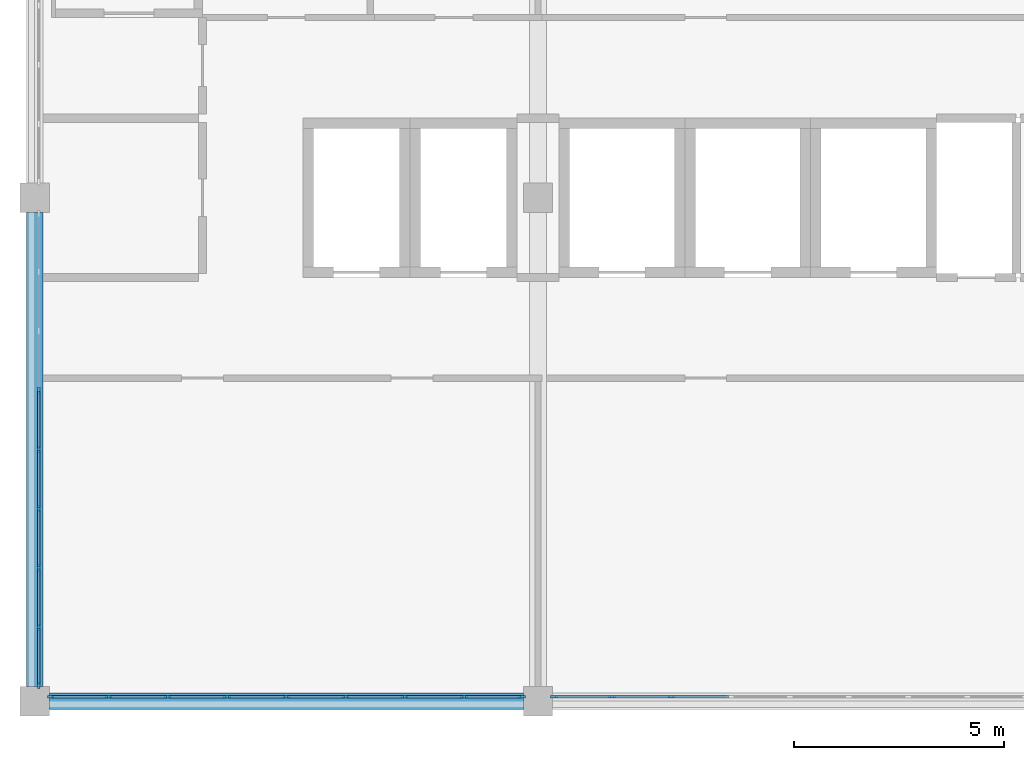
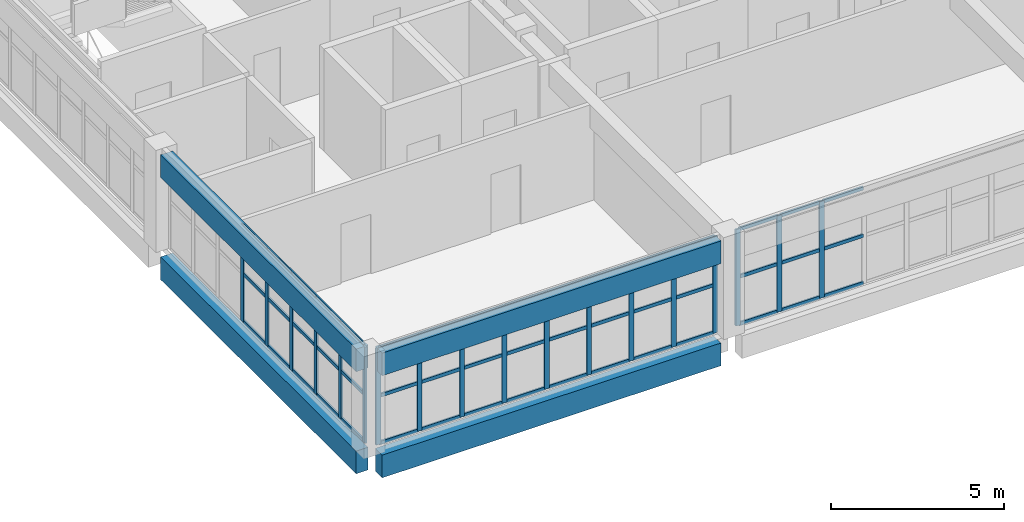
# One storey, part 2 of 16: 66 members, 4 beams, 3 elements without a shape of their own.
"""IFC4 building model written with IfcOpenShell, lengths in metres."""

import ifcopenshell
import ifcopenshell.guid

model = None  # the IFC model being written
_history = None  # IfcOwnerHistory: only IFC2X3 demands one
_inside = {}  # id of a spatial element -> (the spatial element, [elements in it])
_under = {}  # id of a project, library or spatial element -> (it, [spatial elements below it])
_declared = {}  # id of a project -> (the project, [libraries it declares])
_typed = {}  # id of a type object -> (the type object, [elements of that type])
_made_of = {}  # id of a material, layer set ... -> (it, [elements and type objects made of it])


def new_model(schema):
    """Start an empty IFC model of exactly this schema.

    Asked for "IFC4X3", IfcOpenShell would pick the latest addendum, in which some entities
    have other attributes; the version numbers below select the first issue.
    IFC2X3 requires an IfcOwnerHistory on every rooted entity: one is made here for all.
    """
    global model, _history
    if schema == "IFC4X3":
        model = ifcopenshell.file(schema_version=(4, 3, 0, 0))
    else:
        model = ifcopenshell.file(schema=schema)
    _inside.clear()
    _under.clear()
    _declared.clear()
    _typed.clear()
    _made_of.clear()
    _history = None
    if model.schema == "IFC2X3":
        org = make("IfcOrganization", Name="unknown")
        user = make(
            "IfcPersonAndOrganization",
            ThePerson=make("IfcPerson", FamilyName="unknown"),
            TheOrganization=org,
        )
        app = make(
            "IfcApplication",
            ApplicationDeveloper=org,
            Version="unknown",
            ApplicationFullName="unknown",
            ApplicationIdentifier="unknown",
        )
        _history = make(
            "IfcOwnerHistory",
            OwningUser=user,
            OwningApplication=app,
            ChangeAction="ADDED",
            CreationDate=0,
        )
    return model


def make(cls, **values):
    """One entity of the class cls with the attributes given. An attribute that is None is left unset."""
    return model.create_entity(
        cls, **{name: value for name, value in values.items() if value is not None}
    )


def rooted(cls, **values):
    """An entity with a GlobalId (a new one), such as an element, a storey or a relation."""
    return make(cls, GlobalId=ifcopenshell.guid.new(), OwnerHistory=_history, **values)


def si_unit(unit_type, name, prefix=None):
    """IfcSIUnit, for example si_unit("LENGTHUNIT", "METRE", prefix="MILLI")."""
    return make("IfcSIUnit", UnitType=unit_type, Prefix=prefix, Name=name)


def assignment(units):
    """IfcUnitAssignment: the units of a project."""
    return None if units is None else make("IfcUnitAssignment", Units=units)


def point(xyz):
    """IfcCartesianPoint."""
    return None if xyz is None else make("IfcCartesianPoint", Coordinates=xyz)


def direction(xyz):
    """IfcDirection."""
    return None if xyz is None else make("IfcDirection", DirectionRatios=xyz)


def frame(location, z_axis=None, x_axis=None):
    """IfcAxis2Placement3D, a coordinate frame: its origin and axes. An axis left out is left unset."""
    return make(
        "IfcAxis2Placement3D",
        Location=point(location),
        Axis=direction(z_axis),
        RefDirection=direction(x_axis),
    )


def frame_2d(location, x_axis=None):
    """IfcAxis2Placement2D, a coordinate frame in the plane: its origin and x axis."""
    return make(
        "IfcAxis2Placement2D", Location=point(location), RefDirection=direction(x_axis)
    )


def origin():
    """The frame at (0, 0, 0) with its axes left unset."""
    return frame((0.0, 0.0, 0.0))


def origin_2d():
    """The frame at (0, 0) in the plane with its x axis left unset."""
    return frame_2d((0.0, 0.0))


def place(relative_to, where):
    """IfcLocalPlacement: puts the frame where relative to a parent placement (None: the world)."""
    return make(
        "IfcLocalPlacement", PlacementRelTo=relative_to, RelativePlacement=where
    )


def context(
    kind, dimensions, precision=None, world=None, true_north=None, identifier=None
):
    """IfcGeometricRepresentationContext, for example the 3D "Model" context."""
    return make(
        "IfcGeometricRepresentationContext",
        ContextIdentifier=identifier,
        ContextType=kind,
        CoordinateSpaceDimension=dimensions,
        Precision=precision,
        WorldCoordinateSystem=world,
        TrueNorth=true_north,
    )


def subcontext(parent, identifier, kind, view, scale=None):
    """IfcGeometricRepresentationSubContext, for example "Body" below "Model"."""
    return make(
        "IfcGeometricRepresentationSubContext",
        ContextIdentifier=identifier,
        ContextType=kind,
        ParentContext=parent,
        TargetScale=scale,
        TargetView=view,
    )


def project(units=None, contexts=None):
    """IfcProject with its units and contexts."""
    return rooted(
        "IfcProject",
        Name="project",
        RepresentationContexts=contexts,
        UnitsInContext=assignment(units),
    )


def spatial(cls, under=None, at=None, **own):
    """A site, building, storey or space (cls), placed at a placement, below another one or the project."""
    s = rooted(cls, ObjectPlacement=at, **own)
    if under is not None:
        _under.setdefault(under.id(), (under, []))[1].append(s)
    return s


def profile(cls, at=None, kind="AREA", **sizes):
    """A parametric profile (cls). Its sizes go by their IFC names, for example OverallWidth=200.0."""
    return make(cls, ProfileType=kind, Position=at, **sizes)


def rectangle(**sizes):
    """IfcRectangleProfileDef."""
    return profile("IfcRectangleProfileDef", **sizes)


def extrude(swept, where, along, depth):
    """IfcExtrudedAreaSolid: the profile swept, set in the frame where, extruded along a direction by depth."""
    return make(
        "IfcExtrudedAreaSolid",
        SweptArea=swept,
        Position=where,
        ExtrudedDirection=direction(along),
        Depth=depth,
    )


def shape(context_of_items, identifier, shape_type, items):
    """IfcShapeRepresentation: the items that make up one representation, for example the "Body"."""
    return make(
        "IfcShapeRepresentation",
        ContextOfItems=context_of_items,
        RepresentationIdentifier=identifier,
        RepresentationType=shape_type,
        Items=items,
    )


def material(Name=None, Category=None):
    """IfcMaterial."""
    return make("IfcMaterial", Name=Name, Category=Category)


def layer(
    of_material, thickness, ventilated=None, Name=None, Category=None, Priority=None
):
    """IfcMaterialLayer: one layer of a wall or slab, of a material (None: an air gap)."""
    return make(
        "IfcMaterialLayer",
        Material=of_material,
        LayerThickness=thickness,
        IsVentilated=ventilated,
        Name=Name,
        Category=Category,
        Priority=Priority,
    )


def layer_set(layers, Name=None):
    """IfcMaterialLayerSet."""
    return make("IfcMaterialLayerSet", MaterialLayers=layers, LayerSetName=Name)


def material_profile(
    of_material, cross_section, Name=None, Category=None, Priority=None
):
    """IfcMaterialProfile: a cross section and its material."""
    return make(
        "IfcMaterialProfile",
        Name=Name,
        Material=of_material,
        Profile=cross_section,
        Priority=Priority,
        Category=Category,
    )


def profile_set(profiles, Name=None, composite=None):
    """IfcMaterialProfileSet."""
    return make(
        "IfcMaterialProfileSet",
        Name=Name,
        MaterialProfiles=profiles,
        CompositeProfile=composite,
    )


def made_of(thing, what):
    """Note that an element or type object is made of a material, layer set ...; save() writes the relation."""
    if what is not None:
        _made_of.setdefault(what.id(), (what, []))[1].append(thing)
    return thing


def type_object(cls, material=None, **own):
    """A type object (cls), such as IfcWallType, which elements share."""
    return made_of(rooted(cls, **own), material)


def element(
    cls,
    number,
    at=None,
    inside=None,
    cuts=None,
    type_object=None,
    material=None,
    context=None,
    identifier="Body",
    shape_type=None,
    held_by="IfcProductDefinitionShape",
    body=None,
    shapes=None,
    **own,
):
    """One element of the class cls, such as IfcWall. Its Tag is "e" and its number.

    at: its placement. inside: the storey or other place that contains it. cuts: it is an
    opening in that element (IfcRelVoidsElement). A single representation is given by context,
    identifier, shape_type and body (its items); several are given by shapes. held_by: the class
    of the entity that holds the representations. save() writes the other relations.
    """
    e = rooted(cls, Tag="e%d" % number, ObjectPlacement=at, **own)
    if body is not None:
        shapes = [shape(context, identifier, shape_type, body)]
    if shapes is not None:
        e.Representation = make(held_by, Representations=shapes)
    if inside is not None:
        _inside.setdefault(inside.id(), (inside, []))[1].append(e)
    if cuts is not None:
        rooted(
            "IfcRelVoidsElement", RelatingBuildingElement=cuts, RelatedOpeningElement=e
        )
    if type_object is not None:
        _typed.setdefault(type_object.id(), (type_object, []))[1].append(e)
    return made_of(e, material)


def aggregate(whole, parts):
    """IfcRelAggregates: a whole, such as a stair, and the parts it consists of."""
    return rooted("IfcRelAggregates", RelatingObject=whole, RelatedObjects=parts)


def save(model, path):
    """Write the relations noted so far, then the file.

    IfcRelAggregates (storeys below a building ...), IfcRelContainedInSpatialStructure (elements
    in a storey), IfcRelDefinesByType, IfcRelAssociatesMaterial and IfcRelDeclares: one each for
    every whole, place, type object, material and project.
    """
    for whole, parts in _under.values():
        aggregate(whole, parts)
    for where, things in _inside.values():
        rooted(
            "IfcRelContainedInSpatialStructure",
            RelatedElements=things,
            RelatingStructure=where,
        )
    for kind, things in _typed.values():
        rooted("IfcRelDefinesByType", RelatedObjects=things, RelatingType=kind)
    for what, things in _made_of.values():
        rooted("IfcRelAssociatesMaterial", RelatedObjects=things, RelatingMaterial=what)
    for by, libraries in _declared.values():
        rooted("IfcRelDeclares", RelatingContext=by, RelatedDefinitions=libraries)
    model.write(path)


model = new_model("IFC4")

# Units and contexts
model_context = context("Model", 3, precision=1e-05, world=origin(), true_north=direction((0.0, 1.0)))
body_context = subcontext(model_context, "Body", "Model", "MODEL_VIEW")
ifc_project = project(units=[si_unit("LENGTHUNIT", "METRE"), si_unit("AREAUNIT", "SQUARE_METRE"), si_unit("VOLUMEUNIT", "CUBIC_METRE"), si_unit("PLANEANGLEUNIT", "RADIAN"), si_unit("MASSUNIT", "GRAM", prefix="KILO")], contexts=[model_context])

# Site, building, storey
site_placement = place(None, origin())
site = spatial("IfcSite", under=ifc_project, at=site_placement, CompositionType="ELEMENT")
building_placement = place(site_placement, origin())
building = spatial("IfcBuilding", under=site, at=building_placement, Name="Lilac Gate Convention Centre", CompositionType="ELEMENT")
storey_placement = place(building_placement, frame((0.0, 0.0, 67.800048828125)))
storey = spatial("IfcBuildingStorey", under=building, at=storey_placement, Name="L17", CompositionType="ELEMENT", Elevation=67.800048828125)

# Curtain wall, members
ifc_material_1 = material(Name="Aluminium framed double glazing", Category="aluminium")
ifc_layer = layer(ifc_material_1, 0.199951171875)
ifc_layer_set = layer_set([ifc_layer], Name="Aluminium framed double glazing")
curtain_wall_type = type_object("IfcCurtainWallType", Name="Unitised curtain wall 1500", PredefinedType="NOTDEFINED", material=ifc_layer_set)
curtain_wall_1_placement = place(storey_placement, origin())
curtain_wall_1 = element("IfcCurtainWall", 1, at=curtain_wall_1_placement, inside=storey, type_object=curtain_wall_type, Name="Curtain wall S L17 1", PredefinedType="NOTDEFINED")
ifc_material_2 = material(Name="Aluminium alloy 6063", Category="aluminium")
ifc_material_profile_1 = material_profile(ifc_material_2, rectangle(XDim=0.06005859375, YDim=0.159912109375, at=origin_2d()), Name="Curtain wall mullion 60 x 160")
ifc_profile_set_1 = profile_set([ifc_material_profile_1], Name="Aluminium alloy 6063")
member_type_1 = type_object("IfcMemberType", Name="Curtain wall mullion 60 x 160", PredefinedType="MULLION", material=ifc_profile_set_1)
member_1_placement = place(storey_placement, frame((42.380126953125, 222.10009765625, 0.0), z_axis=(0.0, 0.0, 1.0), x_axis=(0.0, 1.0, 0.0)))
member_1 = element("IfcMember", 2, at=member_1_placement, type_object=member_type_1, Name="CW mullion 1", PredefinedType="MULLION", context=body_context, shape_type="SweptSolid", body=[
    extrude(rectangle(XDim=0.06005859375, YDim=0.159912109375, at=origin_2d()), origin(), (0.0, 0.0, 1.0), 3.39990234375),
])
member_2_placement = place(storey_placement, frame((43.762451171875, 222.10009765625, 0.0), z_axis=(0.0, 0.0, 1.0), x_axis=(0.0, 1.0, 0.0)))
member_2 = element("IfcMember", 3, at=member_2_placement, type_object=member_type_1, Name="CW mullion 2", PredefinedType="MULLION", context=body_context, shape_type="SweptSolid", body=[
    extrude(rectangle(XDim=0.06005859375, YDim=0.159912109375, at=origin_2d()), origin(), (0.0, 0.0, 1.0), 3.39990234375),
])
member_3_placement = place(storey_placement, frame((45.175048828125, 222.10009765625, 0.0), z_axis=(0.0, 0.0, 1.0), x_axis=(0.0, 1.0, 0.0)))
member_3 = element("IfcMember", 4, at=member_3_placement, type_object=member_type_1, Name="CW mullion 3", PredefinedType="MULLION", context=body_context, shape_type="SweptSolid", body=[
    extrude(rectangle(XDim=0.06005859375, YDim=0.159912109375, at=origin_2d()), origin(), (0.0, 0.0, 1.0), 3.39990234375),
])
member_4_placement = place(storey_placement, frame((46.58740234375, 222.10009765625, 0.0), z_axis=(0.0, 0.0, 1.0), x_axis=(0.0, 1.0, 0.0)))
member_4 = element("IfcMember", 5, at=member_4_placement, type_object=member_type_1, Name="CW mullion 4", PredefinedType="MULLION", context=body_context, shape_type="SweptSolid", body=[
    extrude(rectangle(XDim=0.06005859375, YDim=0.159912109375, at=origin_2d()), origin(), (0.0, 0.0, 1.0), 3.39990234375),
])
member_5_placement = place(storey_placement, frame((48.0, 222.10009765625, 0.0), z_axis=(0.0, 0.0, 1.0), x_axis=(0.0, 1.0, 0.0)))
member_5 = element("IfcMember", 6, at=member_5_placement, type_object=member_type_1, Name="CW mullion 5", PredefinedType="MULLION", context=body_context, shape_type="SweptSolid", body=[
    extrude(rectangle(XDim=0.06005859375, YDim=0.159912109375, at=origin_2d()), origin(), (0.0, 0.0, 1.0), 3.39990234375),
])
member_6_placement = place(storey_placement, frame((49.41259765625, 222.10009765625, 0.0), z_axis=(0.0, 0.0, 1.0), x_axis=(0.0, 1.0, 0.0)))
member_6 = element("IfcMember", 7, at=member_6_placement, type_object=member_type_1, Name="CW mullion 6", PredefinedType="MULLION", context=body_context, shape_type="SweptSolid", body=[
    extrude(rectangle(XDim=0.06005859375, YDim=0.159912109375, at=origin_2d()), origin(), (0.0, 0.0, 1.0), 3.39990234375),
])
member_7_placement = place(storey_placement, frame((50.824951171875, 222.10009765625, 0.0), z_axis=(0.0, 0.0, 1.0), x_axis=(0.0, 1.0, 0.0)))
member_7 = element("IfcMember", 8, at=member_7_placement, type_object=member_type_1, Name="CW mullion 7", PredefinedType="MULLION", context=body_context, shape_type="SweptSolid", body=[
    extrude(rectangle(XDim=0.06005859375, YDim=0.159912109375, at=origin_2d()), origin(), (0.0, 0.0, 1.0), 3.39990234375),
])
member_8_placement = place(storey_placement, frame((52.237548828125, 222.10009765625, 0.0), z_axis=(0.0, 0.0, 1.0), x_axis=(0.0, 1.0, 0.0)))
member_8 = element("IfcMember", 9, at=member_8_placement, type_object=member_type_1, Name="CW mullion 8", PredefinedType="MULLION", context=body_context, shape_type="SweptSolid", body=[
    extrude(rectangle(XDim=0.06005859375, YDim=0.159912109375, at=origin_2d()), origin(), (0.0, 0.0, 1.0), 3.39990234375),
])
member_9_placement = place(storey_placement, frame((53.619873046875, 222.10009765625, 0.0), z_axis=(0.0, 0.0, 1.0), x_axis=(0.0, 1.0, 0.0)))
member_9 = element("IfcMember", 10, at=member_9_placement, type_object=member_type_1, Name="CW mullion 9", PredefinedType="MULLION", context=body_context, shape_type="SweptSolid", body=[
    extrude(rectangle(XDim=0.06005859375, YDim=0.159912109375, at=origin_2d()), origin(), (0.0, 0.0, 1.0), 3.39990234375),
])

curtain_wall_2_placement = place(storey_placement, origin())
curtain_wall_2 = element("IfcCurtainWall", 11, at=curtain_wall_2_placement, inside=storey, type_object=curtain_wall_type, Name="Curtain wall S L17 2", PredefinedType="NOTDEFINED")
member_10_placement = place(storey_placement, frame((54.380126953125, 222.10009765625, 0.0), z_axis=(0.0, 0.0, 1.0), x_axis=(0.0, 1.0, 0.0)))
member_10 = element("IfcMember", 12, at=member_10_placement, type_object=member_type_1, Name="CW mullion 1", PredefinedType="MULLION", context=body_context, shape_type="SweptSolid", body=[
    extrude(rectangle(XDim=0.06005859375, YDim=0.159912109375, at=origin_2d()), origin(), (0.0, 0.0, 1.0), 3.39990234375),
])
member_11_placement = place(storey_placement, frame((55.762451171875, 222.10009765625, 0.0), z_axis=(0.0, 0.0, 1.0), x_axis=(0.0, 1.0, 0.0)))
member_11 = element("IfcMember", 13, at=member_11_placement, type_object=member_type_1, Name="CW mullion 2", PredefinedType="MULLION", context=body_context, shape_type="SweptSolid", body=[
    extrude(rectangle(XDim=0.06005859375, YDim=0.159912109375, at=origin_2d()), origin(), (0.0, 0.0, 1.0), 3.39990234375),
])
member_12_placement = place(storey_placement, frame((57.175048828125, 222.10009765625, 0.0), z_axis=(0.0, 0.0, 1.0), x_axis=(0.0, 1.0, 0.0)))
member_12 = element("IfcMember", 14, at=member_12_placement, type_object=member_type_1, Name="CW mullion 3", PredefinedType="MULLION", context=body_context, shape_type="SweptSolid", body=[
    extrude(rectangle(XDim=0.06005859375, YDim=0.159912109375, at=origin_2d()), origin(), (0.0, 0.0, 1.0), 3.39990234375),
])

curtain_wall_3_placement = place(storey_placement, origin())
curtain_wall_3 = element("IfcCurtainWall", 15, at=curtain_wall_3_placement, inside=storey, type_object=curtain_wall_type, Name="Curtain wall W L17 2", PredefinedType="NOTDEFINED")
member_13_placement = place(storey_placement, frame((42.10009765625, 229.41259765625, 0.0), z_axis=(0.0, 0.0, 1.0), x_axis=(1.0, 0.0, 0.0)))
member_13 = element("IfcMember", 16, at=member_13_placement, type_object=member_type_1, Name="CW mullion 4", PredefinedType="MULLION", context=body_context, shape_type="SweptSolid", body=[
    extrude(rectangle(XDim=0.06005859375, YDim=0.159912109375, at=origin_2d()), origin(), (0.0, 0.0, 1.0), 3.39990234375),
])
member_14_placement = place(storey_placement, frame((42.10009765625, 228.0, 0.0), z_axis=(0.0, 0.0, 1.0), x_axis=(1.0, 0.0, 0.0)))
member_14 = element("IfcMember", 17, at=member_14_placement, type_object=member_type_1, Name="CW mullion 5", PredefinedType="MULLION", context=body_context, shape_type="SweptSolid", body=[
    extrude(rectangle(XDim=0.06005859375, YDim=0.159912109375, at=origin_2d()), origin(), (0.0, 0.0, 1.0), 3.39990234375),
])
member_15_placement = place(storey_placement, frame((42.10009765625, 226.58740234375, 0.0), z_axis=(0.0, 0.0, 1.0), x_axis=(1.0, 0.0, 0.0)))
member_15 = element("IfcMember", 18, at=member_15_placement, type_object=member_type_1, Name="CW mullion 6", PredefinedType="MULLION", context=body_context, shape_type="SweptSolid", body=[
    extrude(rectangle(XDim=0.06005859375, YDim=0.159912109375, at=origin_2d()), origin(), (0.0, 0.0, 1.0), 3.39990234375),
])
member_16_placement = place(storey_placement, frame((42.10009765625, 225.175048828125, 0.0), z_axis=(0.0, 0.0, 1.0), x_axis=(1.0, 0.0, 0.0)))
member_16 = element("IfcMember", 19, at=member_16_placement, type_object=member_type_1, Name="CW mullion 7", PredefinedType="MULLION", context=body_context, shape_type="SweptSolid", body=[
    extrude(rectangle(XDim=0.06005859375, YDim=0.159912109375, at=origin_2d()), origin(), (0.0, 0.0, 1.0), 3.39990234375),
])
member_17_placement = place(storey_placement, frame((42.10009765625, 223.762451171875, 0.0), z_axis=(0.0, 0.0, 1.0), x_axis=(1.0, 0.0, 0.0)))
member_17 = element("IfcMember", 20, at=member_17_placement, type_object=member_type_1, Name="CW mullion 8", PredefinedType="MULLION", context=body_context, shape_type="SweptSolid", body=[
    extrude(rectangle(XDim=0.06005859375, YDim=0.159912109375, at=origin_2d()), origin(), (0.0, 0.0, 1.0), 3.39990234375),
])
member_18_placement = place(storey_placement, frame((42.10009765625, 222.380126953125, 0.0), z_axis=(0.0, 0.0, 1.0), x_axis=(1.0, 0.0, 0.0)))
member_18 = element("IfcMember", 21, at=member_18_placement, type_object=member_type_1, Name="CW mullion 9", PredefinedType="MULLION", context=body_context, shape_type="SweptSolid", body=[
    extrude(rectangle(XDim=0.06005859375, YDim=0.159912109375, at=origin_2d()), origin(), (0.0, 0.0, 1.0), 3.39990234375),
])

# Member
ifc_material_profile_2 = material_profile(ifc_material_2, rectangle(XDim=0.06005859375, YDim=0.1201171875, at=origin_2d()), Name="Curtain wall transom 60 x 120")
ifc_profile_set_2 = profile_set([ifc_material_profile_2], Name="Aluminium alloy 6063")
member_type_2 = type_object("IfcMemberType", Name="Curtain wall transom 60 x 120", PredefinedType="USERDEFINED", material=ifc_profile_set_2)
member_19_placement = place(storey_placement, frame((42.41015625, 222.10009765625, 0.030029296875), z_axis=(1.0, 0.0, 0.0), x_axis=(0.0, 1.0, 0.0)))
member_19 = element("IfcMember", 22, at=member_19_placement, type_object=member_type_2, Name="CW transom 1.1", ObjectType="TRANSOM", PredefinedType="USERDEFINED", context=body_context, shape_type="SweptSolid", body=[
    extrude(rectangle(XDim=0.06005859375, YDim=0.1201171875, at=origin_2d()), origin(), (0.0, 0.0, 1.0), 1.322509765625),
])

member_20_placement = place(storey_placement, frame((42.41015625, 222.10009765625, 1.699951171875), z_axis=(1.0, 0.0, 0.0), x_axis=(0.0, 1.0, 0.0)))
member_20 = element("IfcMember", 23, at=member_20_placement, type_object=member_type_2, Name="CW transom 1.2", ObjectType="TRANSOM", PredefinedType="USERDEFINED", context=body_context, shape_type="SweptSolid", body=[
    extrude(rectangle(XDim=0.06005859375, YDim=0.1201171875, at=origin_2d()), origin(), (0.0, 0.0, 1.0), 1.322509765625),
])

member_21_placement = place(storey_placement, frame((42.41015625, 222.10009765625, 3.369873046875), z_axis=(1.0, 0.0, 0.0), x_axis=(0.0, 1.0, 0.0)))
member_21 = element("IfcMember", 24, at=member_21_placement, type_object=member_type_2, Name="CW transom 1.3", ObjectType="TRANSOM", PredefinedType="USERDEFINED", context=body_context, shape_type="SweptSolid", body=[
    extrude(rectangle(XDim=0.06005859375, YDim=0.1201171875, at=origin_2d()), origin(), (0.0, 0.0, 1.0), 1.322509765625),
])

member_22_placement = place(storey_placement, frame((43.79248046875, 222.10009765625, 0.030029296875), z_axis=(1.0, 0.0, 0.0), x_axis=(0.0, 1.0, 0.0)))
member_22 = element("IfcMember", 25, at=member_22_placement, type_object=member_type_2, Name="CW transom 2.1", ObjectType="TRANSOM", PredefinedType="USERDEFINED", context=body_context, shape_type="SweptSolid", body=[
    extrude(rectangle(XDim=0.06005859375, YDim=0.1201171875, at=origin_2d()), origin(), (0.0, 0.0, 1.0), 1.3525390625),
])

member_23_placement = place(storey_placement, frame((43.79248046875, 222.10009765625, 1.699951171875), z_axis=(1.0, 0.0, 0.0), x_axis=(0.0, 1.0, 0.0)))
member_23 = element("IfcMember", 26, at=member_23_placement, type_object=member_type_2, Name="CW transom 2.2", ObjectType="TRANSOM", PredefinedType="USERDEFINED", context=body_context, shape_type="SweptSolid", body=[
    extrude(rectangle(XDim=0.06005859375, YDim=0.1201171875, at=origin_2d()), origin(), (0.0, 0.0, 1.0), 1.3525390625),
])

member_24_placement = place(storey_placement, frame((43.79248046875, 222.10009765625, 3.369873046875), z_axis=(1.0, 0.0, 0.0), x_axis=(0.0, 1.0, 0.0)))
member_24 = element("IfcMember", 27, at=member_24_placement, type_object=member_type_2, Name="CW transom 2.3", ObjectType="TRANSOM", PredefinedType="USERDEFINED", context=body_context, shape_type="SweptSolid", body=[
    extrude(rectangle(XDim=0.06005859375, YDim=0.1201171875, at=origin_2d()), origin(), (0.0, 0.0, 1.0), 1.3525390625),
])

member_25_placement = place(storey_placement, frame((45.205078125, 222.10009765625, 0.030029296875), z_axis=(1.0, 0.0, 0.0), x_axis=(0.0, 1.0, 0.0)))
member_25 = element("IfcMember", 28, at=member_25_placement, type_object=member_type_2, Name="CW transom 3.1", ObjectType="TRANSOM", PredefinedType="USERDEFINED", context=body_context, shape_type="SweptSolid", body=[
    extrude(rectangle(XDim=0.06005859375, YDim=0.1201171875, at=origin_2d()), origin(), (0.0, 0.0, 1.0), 1.3525390625),
])

member_26_placement = place(storey_placement, frame((45.205078125, 222.10009765625, 1.699951171875), z_axis=(1.0, 0.0, 0.0), x_axis=(0.0, 1.0, 0.0)))
member_26 = element("IfcMember", 29, at=member_26_placement, type_object=member_type_2, Name="CW transom 3.2", ObjectType="TRANSOM", PredefinedType="USERDEFINED", context=body_context, shape_type="SweptSolid", body=[
    extrude(rectangle(XDim=0.06005859375, YDim=0.1201171875, at=origin_2d()), origin(), (0.0, 0.0, 1.0), 1.3525390625),
])

member_27_placement = place(storey_placement, frame((45.205078125, 222.10009765625, 3.369873046875), z_axis=(1.0, 0.0, 0.0), x_axis=(0.0, 1.0, 0.0)))
member_27 = element("IfcMember", 30, at=member_27_placement, type_object=member_type_2, Name="CW transom 3.3", ObjectType="TRANSOM", PredefinedType="USERDEFINED", context=body_context, shape_type="SweptSolid", body=[
    extrude(rectangle(XDim=0.06005859375, YDim=0.1201171875, at=origin_2d()), origin(), (0.0, 0.0, 1.0), 1.3525390625),
])

member_28_placement = place(storey_placement, frame((46.617431640625, 222.10009765625, 0.030029296875), z_axis=(1.0, 0.0, 0.0), x_axis=(0.0, 1.0, 0.0)))
member_28 = element("IfcMember", 31, at=member_28_placement, type_object=member_type_2, Name="CW transom 4.1", ObjectType="TRANSOM", PredefinedType="USERDEFINED", context=body_context, shape_type="SweptSolid", body=[
    extrude(rectangle(XDim=0.06005859375, YDim=0.1201171875, at=origin_2d()), origin(), (0.0, 0.0, 1.0), 1.3525390625),
])

member_29_placement = place(storey_placement, frame((46.617431640625, 222.10009765625, 1.699951171875), z_axis=(1.0, 0.0, 0.0), x_axis=(0.0, 1.0, 0.0)))
member_29 = element("IfcMember", 32, at=member_29_placement, type_object=member_type_2, Name="CW transom 4.2", ObjectType="TRANSOM", PredefinedType="USERDEFINED", context=body_context, shape_type="SweptSolid", body=[
    extrude(rectangle(XDim=0.06005859375, YDim=0.1201171875, at=origin_2d()), origin(), (0.0, 0.0, 1.0), 1.3525390625),
])

member_30_placement = place(storey_placement, frame((46.617431640625, 222.10009765625, 3.369873046875), z_axis=(1.0, 0.0, 0.0), x_axis=(0.0, 1.0, 0.0)))
member_30 = element("IfcMember", 33, at=member_30_placement, type_object=member_type_2, Name="CW transom 4.3", ObjectType="TRANSOM", PredefinedType="USERDEFINED", context=body_context, shape_type="SweptSolid", body=[
    extrude(rectangle(XDim=0.06005859375, YDim=0.1201171875, at=origin_2d()), origin(), (0.0, 0.0, 1.0), 1.3525390625),
])

member_31_placement = place(storey_placement, frame((48.030029296875, 222.10009765625, 0.030029296875), z_axis=(1.0, 0.0, 0.0), x_axis=(0.0, 1.0, 0.0)))
member_31 = element("IfcMember", 34, at=member_31_placement, type_object=member_type_2, Name="CW transom 5.1", ObjectType="TRANSOM", PredefinedType="USERDEFINED", context=body_context, shape_type="SweptSolid", body=[
    extrude(rectangle(XDim=0.06005859375, YDim=0.1201171875, at=origin_2d()), origin(), (0.0, 0.0, 1.0), 1.3525390625),
])

member_32_placement = place(storey_placement, frame((48.030029296875, 222.10009765625, 1.699951171875), z_axis=(1.0, 0.0, 0.0), x_axis=(0.0, 1.0, 0.0)))
member_32 = element("IfcMember", 35, at=member_32_placement, type_object=member_type_2, Name="CW transom 5.2", ObjectType="TRANSOM", PredefinedType="USERDEFINED", context=body_context, shape_type="SweptSolid", body=[
    extrude(rectangle(XDim=0.06005859375, YDim=0.1201171875, at=origin_2d()), origin(), (0.0, 0.0, 1.0), 1.3525390625),
])

member_33_placement = place(storey_placement, frame((48.030029296875, 222.10009765625, 3.369873046875), z_axis=(1.0, 0.0, 0.0), x_axis=(0.0, 1.0, 0.0)))
member_33 = element("IfcMember", 36, at=member_33_placement, type_object=member_type_2, Name="CW transom 5.3", ObjectType="TRANSOM", PredefinedType="USERDEFINED", context=body_context, shape_type="SweptSolid", body=[
    extrude(rectangle(XDim=0.06005859375, YDim=0.1201171875, at=origin_2d()), origin(), (0.0, 0.0, 1.0), 1.3525390625),
])

member_34_placement = place(storey_placement, frame((49.4423828125, 222.10009765625, 0.030029296875), z_axis=(1.0, 0.0, 0.0), x_axis=(0.0, 1.0, 0.0)))
member_34 = element("IfcMember", 37, at=member_34_placement, type_object=member_type_2, Name="CW transom 6.1", ObjectType="TRANSOM", PredefinedType="USERDEFINED", context=body_context, shape_type="SweptSolid", body=[
    extrude(rectangle(XDim=0.06005859375, YDim=0.1201171875, at=origin_2d()), origin(), (0.0, 0.0, 1.0), 1.3525390625),
])

member_35_placement = place(storey_placement, frame((49.4423828125, 222.10009765625, 1.699951171875), z_axis=(1.0, 0.0, 0.0), x_axis=(0.0, 1.0, 0.0)))
member_35 = element("IfcMember", 38, at=member_35_placement, type_object=member_type_2, Name="CW transom 6.2", ObjectType="TRANSOM", PredefinedType="USERDEFINED", context=body_context, shape_type="SweptSolid", body=[
    extrude(rectangle(XDim=0.06005859375, YDim=0.1201171875, at=origin_2d()), origin(), (0.0, 0.0, 1.0), 1.3525390625),
])

member_36_placement = place(storey_placement, frame((49.4423828125, 222.10009765625, 3.369873046875), z_axis=(1.0, 0.0, 0.0), x_axis=(0.0, 1.0, 0.0)))
member_36 = element("IfcMember", 39, at=member_36_placement, type_object=member_type_2, Name="CW transom 6.3", ObjectType="TRANSOM", PredefinedType="USERDEFINED", context=body_context, shape_type="SweptSolid", body=[
    extrude(rectangle(XDim=0.06005859375, YDim=0.1201171875, at=origin_2d()), origin(), (0.0, 0.0, 1.0), 1.3525390625),
])

member_37_placement = place(storey_placement, frame((50.85498046875, 222.10009765625, 0.030029296875), z_axis=(1.0, 0.0, 0.0), x_axis=(0.0, 1.0, 0.0)))
member_37 = element("IfcMember", 40, at=member_37_placement, type_object=member_type_2, Name="CW transom 7.1", ObjectType="TRANSOM", PredefinedType="USERDEFINED", context=body_context, shape_type="SweptSolid", body=[
    extrude(rectangle(XDim=0.06005859375, YDim=0.1201171875, at=origin_2d()), origin(), (0.0, 0.0, 1.0), 1.3525390625),
])

member_38_placement = place(storey_placement, frame((50.85498046875, 222.10009765625, 1.699951171875), z_axis=(1.0, 0.0, 0.0), x_axis=(0.0, 1.0, 0.0)))
member_38 = element("IfcMember", 41, at=member_38_placement, type_object=member_type_2, Name="CW transom 7.2", ObjectType="TRANSOM", PredefinedType="USERDEFINED", context=body_context, shape_type="SweptSolid", body=[
    extrude(rectangle(XDim=0.06005859375, YDim=0.1201171875, at=origin_2d()), origin(), (0.0, 0.0, 1.0), 1.3525390625),
])

member_39_placement = place(storey_placement, frame((50.85498046875, 222.10009765625, 3.369873046875), z_axis=(1.0, 0.0, 0.0), x_axis=(0.0, 1.0, 0.0)))
member_39 = element("IfcMember", 42, at=member_39_placement, type_object=member_type_2, Name="CW transom 7.3", ObjectType="TRANSOM", PredefinedType="USERDEFINED", context=body_context, shape_type="SweptSolid", body=[
    extrude(rectangle(XDim=0.06005859375, YDim=0.1201171875, at=origin_2d()), origin(), (0.0, 0.0, 1.0), 1.3525390625),
])

member_40_placement = place(storey_placement, frame((52.267333984375, 222.10009765625, 0.030029296875), z_axis=(1.0, 0.0, 0.0), x_axis=(0.0, 1.0, 0.0)))
member_40 = element("IfcMember", 43, at=member_40_placement, type_object=member_type_2, Name="CW transom 8.1", ObjectType="TRANSOM", PredefinedType="USERDEFINED", context=body_context, shape_type="SweptSolid", body=[
    extrude(rectangle(XDim=0.06005859375, YDim=0.1201171875, at=origin_2d()), origin(), (0.0, 0.0, 1.0), 1.322509765625),
])

member_41_placement = place(storey_placement, frame((52.267333984375, 222.10009765625, 1.699951171875), z_axis=(1.0, 0.0, 0.0), x_axis=(0.0, 1.0, 0.0)))
member_41 = element("IfcMember", 44, at=member_41_placement, type_object=member_type_2, Name="CW transom 8.2", ObjectType="TRANSOM", PredefinedType="USERDEFINED", context=body_context, shape_type="SweptSolid", body=[
    extrude(rectangle(XDim=0.06005859375, YDim=0.1201171875, at=origin_2d()), origin(), (0.0, 0.0, 1.0), 1.322509765625),
])

member_42_placement = place(storey_placement, frame((52.267333984375, 222.10009765625, 3.369873046875), z_axis=(1.0, 0.0, 0.0), x_axis=(0.0, 1.0, 0.0)))
member_42 = element("IfcMember", 45, at=member_42_placement, type_object=member_type_2, Name="CW transom 8.3", ObjectType="TRANSOM", PredefinedType="USERDEFINED", context=body_context, shape_type="SweptSolid", body=[
    extrude(rectangle(XDim=0.06005859375, YDim=0.1201171875, at=origin_2d()), origin(), (0.0, 0.0, 1.0), 1.322509765625),
])

aggregate(curtain_wall_1, [member_1, member_2, member_3, member_4, member_5, member_6, member_7, member_8, member_9, member_19, member_20, member_21, member_22, member_23, member_24, member_25, member_26, member_27, member_28, member_29, member_30, member_31, member_32, member_33, member_34, member_35, member_36, member_37, member_38, member_39, member_40, member_41, member_42])

member_43_placement = place(storey_placement, frame((54.41015625, 222.10009765625, 0.030029296875), z_axis=(1.0, 0.0, 0.0), x_axis=(0.0, 1.0, 0.0)))
member_43 = element("IfcMember", 46, at=member_43_placement, type_object=member_type_2, Name="CW transom 1.1", ObjectType="TRANSOM", PredefinedType="USERDEFINED", context=body_context, shape_type="SweptSolid", body=[
    extrude(rectangle(XDim=0.06005859375, YDim=0.1201171875, at=origin_2d()), origin(), (0.0, 0.0, 1.0), 1.322509765625),
])

member_44_placement = place(storey_placement, frame((54.41015625, 222.10009765625, 1.699951171875), z_axis=(1.0, 0.0, 0.0), x_axis=(0.0, 1.0, 0.0)))
member_44 = element("IfcMember", 47, at=member_44_placement, type_object=member_type_2, Name="CW transom 1.2", ObjectType="TRANSOM", PredefinedType="USERDEFINED", context=body_context, shape_type="SweptSolid", body=[
    extrude(rectangle(XDim=0.06005859375, YDim=0.1201171875, at=origin_2d()), origin(), (0.0, 0.0, 1.0), 1.322509765625),
])

member_45_placement = place(storey_placement, frame((54.41015625, 222.10009765625, 3.369873046875), z_axis=(1.0, 0.0, 0.0), x_axis=(0.0, 1.0, 0.0)))
member_45 = element("IfcMember", 48, at=member_45_placement, type_object=member_type_2, Name="CW transom 1.3", ObjectType="TRANSOM", PredefinedType="USERDEFINED", context=body_context, shape_type="SweptSolid", body=[
    extrude(rectangle(XDim=0.06005859375, YDim=0.1201171875, at=origin_2d()), origin(), (0.0, 0.0, 1.0), 1.322509765625),
])

member_46_placement = place(storey_placement, frame((55.79248046875, 222.10009765625, 0.030029296875), z_axis=(1.0, 0.0, 0.0), x_axis=(0.0, 1.0, 0.0)))
member_46 = element("IfcMember", 49, at=member_46_placement, type_object=member_type_2, Name="CW transom 2.1", ObjectType="TRANSOM", PredefinedType="USERDEFINED", context=body_context, shape_type="SweptSolid", body=[
    extrude(rectangle(XDim=0.06005859375, YDim=0.1201171875, at=origin_2d()), origin(), (0.0, 0.0, 1.0), 1.3525390625),
])

member_47_placement = place(storey_placement, frame((55.79248046875, 222.10009765625, 1.699951171875), z_axis=(1.0, 0.0, 0.0), x_axis=(0.0, 1.0, 0.0)))
member_47 = element("IfcMember", 50, at=member_47_placement, type_object=member_type_2, Name="CW transom 2.2", ObjectType="TRANSOM", PredefinedType="USERDEFINED", context=body_context, shape_type="SweptSolid", body=[
    extrude(rectangle(XDim=0.06005859375, YDim=0.1201171875, at=origin_2d()), origin(), (0.0, 0.0, 1.0), 1.3525390625),
])

member_48_placement = place(storey_placement, frame((55.79248046875, 222.10009765625, 3.369873046875), z_axis=(1.0, 0.0, 0.0), x_axis=(0.0, 1.0, 0.0)))
member_48 = element("IfcMember", 51, at=member_48_placement, type_object=member_type_2, Name="CW transom 2.3", ObjectType="TRANSOM", PredefinedType="USERDEFINED", context=body_context, shape_type="SweptSolid", body=[
    extrude(rectangle(XDim=0.06005859375, YDim=0.1201171875, at=origin_2d()), origin(), (0.0, 0.0, 1.0), 1.3525390625),
])

member_49_placement = place(storey_placement, frame((57.205078125, 222.10009765625, 0.030029296875), z_axis=(1.0, 0.0, 0.0), x_axis=(0.0, 1.0, 0.0)))
member_49 = element("IfcMember", 52, at=member_49_placement, type_object=member_type_2, Name="CW transom 3.1", ObjectType="TRANSOM", PredefinedType="USERDEFINED", context=body_context, shape_type="SweptSolid", body=[
    extrude(rectangle(XDim=0.06005859375, YDim=0.1201171875, at=origin_2d()), origin(), (0.0, 0.0, 1.0), 1.3525390625),
])

member_50_placement = place(storey_placement, frame((57.205078125, 222.10009765625, 1.699951171875), z_axis=(1.0, 0.0, 0.0), x_axis=(0.0, 1.0, 0.0)))
member_50 = element("IfcMember", 53, at=member_50_placement, type_object=member_type_2, Name="CW transom 3.2", ObjectType="TRANSOM", PredefinedType="USERDEFINED", context=body_context, shape_type="SweptSolid", body=[
    extrude(rectangle(XDim=0.06005859375, YDim=0.1201171875, at=origin_2d()), origin(), (0.0, 0.0, 1.0), 1.3525390625),
])

member_51_placement = place(storey_placement, frame((57.205078125, 222.10009765625, 3.369873046875), z_axis=(1.0, 0.0, 0.0), x_axis=(0.0, 1.0, 0.0)))
member_51 = element("IfcMember", 54, at=member_51_placement, type_object=member_type_2, Name="CW transom 3.3", ObjectType="TRANSOM", PredefinedType="USERDEFINED", context=body_context, shape_type="SweptSolid", body=[
    extrude(rectangle(XDim=0.06005859375, YDim=0.1201171875, at=origin_2d()), origin(), (0.0, 0.0, 1.0), 1.3525390625),
])

aggregate(curtain_wall_2, [member_10, member_11, member_12, member_43, member_44, member_45, member_46, member_47, member_48, member_49, member_50, member_51])

member_52_placement = place(storey_placement, frame((42.10009765625, 229.382568359375, 0.030029296875), z_axis=(0.0, -1.0, 0.0), x_axis=(1.0, 0.0, 0.0)))
member_52 = element("IfcMember", 55, at=member_52_placement, type_object=member_type_2, Name="CW transom 4.1", ObjectType="TRANSOM", PredefinedType="USERDEFINED", context=body_context, shape_type="SweptSolid", body=[
    extrude(rectangle(XDim=0.06005859375, YDim=0.1201171875, at=origin_2d()), origin(), (0.0, 0.0, 1.0), 1.3525390625),
])

member_53_placement = place(storey_placement, frame((42.10009765625, 229.382568359375, 1.699951171875), z_axis=(0.0, -1.0, 0.0), x_axis=(1.0, 0.0, 0.0)))
member_53 = element("IfcMember", 56, at=member_53_placement, type_object=member_type_2, Name="CW transom 4.2", ObjectType="TRANSOM", PredefinedType="USERDEFINED", context=body_context, shape_type="SweptSolid", body=[
    extrude(rectangle(XDim=0.06005859375, YDim=0.1201171875, at=origin_2d()), origin(), (0.0, 0.0, 1.0), 1.3525390625),
])

member_54_placement = place(storey_placement, frame((42.10009765625, 229.382568359375, 3.369873046875), z_axis=(0.0, -1.0, 0.0), x_axis=(1.0, 0.0, 0.0)))
member_54 = element("IfcMember", 57, at=member_54_placement, type_object=member_type_2, Name="CW transom 4.3", ObjectType="TRANSOM", PredefinedType="USERDEFINED", context=body_context, shape_type="SweptSolid", body=[
    extrude(rectangle(XDim=0.06005859375, YDim=0.1201171875, at=origin_2d()), origin(), (0.0, 0.0, 1.0), 1.3525390625),
])

member_55_placement = place(storey_placement, frame((42.10009765625, 227.969970703125, 0.030029296875), z_axis=(0.0, -1.0, 0.0), x_axis=(1.0, 0.0, 0.0)))
member_55 = element("IfcMember", 58, at=member_55_placement, type_object=member_type_2, Name="CW transom 5.1", ObjectType="TRANSOM", PredefinedType="USERDEFINED", context=body_context, shape_type="SweptSolid", body=[
    extrude(rectangle(XDim=0.06005859375, YDim=0.1201171875, at=origin_2d()), origin(), (0.0, 0.0, 1.0), 1.3525390625),
])

member_56_placement = place(storey_placement, frame((42.10009765625, 227.969970703125, 1.699951171875), z_axis=(0.0, -1.0, 0.0), x_axis=(1.0, 0.0, 0.0)))
member_56 = element("IfcMember", 59, at=member_56_placement, type_object=member_type_2, Name="CW transom 5.2", ObjectType="TRANSOM", PredefinedType="USERDEFINED", context=body_context, shape_type="SweptSolid", body=[
    extrude(rectangle(XDim=0.06005859375, YDim=0.1201171875, at=origin_2d()), origin(), (0.0, 0.0, 1.0), 1.3525390625),
])

member_57_placement = place(storey_placement, frame((42.10009765625, 227.969970703125, 3.369873046875), z_axis=(0.0, -1.0, 0.0), x_axis=(1.0, 0.0, 0.0)))
member_57 = element("IfcMember", 60, at=member_57_placement, type_object=member_type_2, Name="CW transom 5.3", ObjectType="TRANSOM", PredefinedType="USERDEFINED", context=body_context, shape_type="SweptSolid", body=[
    extrude(rectangle(XDim=0.06005859375, YDim=0.1201171875, at=origin_2d()), origin(), (0.0, 0.0, 1.0), 1.3525390625),
])

member_58_placement = place(storey_placement, frame((42.10009765625, 226.5576171875, 0.030029296875), z_axis=(0.0, -1.0, 0.0), x_axis=(1.0, 0.0, 0.0)))
member_58 = element("IfcMember", 61, at=member_58_placement, type_object=member_type_2, Name="CW transom 6.1", ObjectType="TRANSOM", PredefinedType="USERDEFINED", context=body_context, shape_type="SweptSolid", body=[
    extrude(rectangle(XDim=0.06005859375, YDim=0.1201171875, at=origin_2d()), origin(), (0.0, 0.0, 1.0), 1.3525390625),
])

member_59_placement = place(storey_placement, frame((42.10009765625, 226.5576171875, 1.699951171875), z_axis=(0.0, -1.0, 0.0), x_axis=(1.0, 0.0, 0.0)))
member_59 = element("IfcMember", 62, at=member_59_placement, type_object=member_type_2, Name="CW transom 6.2", ObjectType="TRANSOM", PredefinedType="USERDEFINED", context=body_context, shape_type="SweptSolid", body=[
    extrude(rectangle(XDim=0.06005859375, YDim=0.1201171875, at=origin_2d()), origin(), (0.0, 0.0, 1.0), 1.3525390625),
])

member_60_placement = place(storey_placement, frame((42.10009765625, 226.5576171875, 3.369873046875), z_axis=(0.0, -1.0, 0.0), x_axis=(1.0, 0.0, 0.0)))
member_60 = element("IfcMember", 63, at=member_60_placement, type_object=member_type_2, Name="CW transom 6.3", ObjectType="TRANSOM", PredefinedType="USERDEFINED", context=body_context, shape_type="SweptSolid", body=[
    extrude(rectangle(XDim=0.06005859375, YDim=0.1201171875, at=origin_2d()), origin(), (0.0, 0.0, 1.0), 1.3525390625),
])

member_61_placement = place(storey_placement, frame((42.10009765625, 225.14501953125, 0.030029296875), z_axis=(0.0, -1.0, 0.0), x_axis=(1.0, 0.0, 0.0)))
member_61 = element("IfcMember", 64, at=member_61_placement, type_object=member_type_2, Name="CW transom 7.1", ObjectType="TRANSOM", PredefinedType="USERDEFINED", context=body_context, shape_type="SweptSolid", body=[
    extrude(rectangle(XDim=0.06005859375, YDim=0.1201171875, at=origin_2d()), origin(), (0.0, 0.0, 1.0), 1.3525390625),
])

member_62_placement = place(storey_placement, frame((42.10009765625, 225.14501953125, 1.699951171875), z_axis=(0.0, -1.0, 0.0), x_axis=(1.0, 0.0, 0.0)))
member_62 = element("IfcMember", 65, at=member_62_placement, type_object=member_type_2, Name="CW transom 7.2", ObjectType="TRANSOM", PredefinedType="USERDEFINED", context=body_context, shape_type="SweptSolid", body=[
    extrude(rectangle(XDim=0.06005859375, YDim=0.1201171875, at=origin_2d()), origin(), (0.0, 0.0, 1.0), 1.3525390625),
])

member_63_placement = place(storey_placement, frame((42.10009765625, 225.14501953125, 3.369873046875), z_axis=(0.0, -1.0, 0.0), x_axis=(1.0, 0.0, 0.0)))
member_63 = element("IfcMember", 66, at=member_63_placement, type_object=member_type_2, Name="CW transom 7.3", ObjectType="TRANSOM", PredefinedType="USERDEFINED", context=body_context, shape_type="SweptSolid", body=[
    extrude(rectangle(XDim=0.06005859375, YDim=0.1201171875, at=origin_2d()), origin(), (0.0, 0.0, 1.0), 1.3525390625),
])

member_64_placement = place(storey_placement, frame((42.10009765625, 223.732666015625, 0.030029296875), z_axis=(0.0, -1.0, 0.0), x_axis=(1.0, 0.0, 0.0)))
member_64 = element("IfcMember", 67, at=member_64_placement, type_object=member_type_2, Name="CW transom 8.1", ObjectType="TRANSOM", PredefinedType="USERDEFINED", context=body_context, shape_type="SweptSolid", body=[
    extrude(rectangle(XDim=0.06005859375, YDim=0.1201171875, at=origin_2d()), origin(), (0.0, 0.0, 1.0), 1.322509765625),
])

member_65_placement = place(storey_placement, frame((42.10009765625, 223.732666015625, 1.699951171875), z_axis=(0.0, -1.0, 0.0), x_axis=(1.0, 0.0, 0.0)))
member_65 = element("IfcMember", 68, at=member_65_placement, type_object=member_type_2, Name="CW transom 8.2", ObjectType="TRANSOM", PredefinedType="USERDEFINED", context=body_context, shape_type="SweptSolid", body=[
    extrude(rectangle(XDim=0.06005859375, YDim=0.1201171875, at=origin_2d()), origin(), (0.0, 0.0, 1.0), 1.322509765625),
])

member_66_placement = place(storey_placement, frame((42.10009765625, 223.732666015625, 3.369873046875), z_axis=(0.0, -1.0, 0.0), x_axis=(1.0, 0.0, 0.0)))
member_66 = element("IfcMember", 69, at=member_66_placement, type_object=member_type_2, Name="CW transom 8.3", ObjectType="TRANSOM", PredefinedType="USERDEFINED", context=body_context, shape_type="SweptSolid", body=[
    extrude(rectangle(XDim=0.06005859375, YDim=0.1201171875, at=origin_2d()), origin(), (0.0, 0.0, 1.0), 1.322509765625),
])

aggregate(curtain_wall_3, [member_13, member_14, member_15, member_16, member_17, member_18, member_52, member_53, member_54, member_55, member_56, member_57, member_58, member_59, member_60, member_61, member_62, member_63, member_64, member_65, member_66])

# Beams
ifc_material_3 = material(Name="Concrete C40", Category="concrete")
ifc_material_profile_3 = material_profile(ifc_material_3, rectangle(XDim=0.39990234375, YDim=0.800048828125, at=origin_2d()), Name="RC 400x800")
ifc_profile_set_3 = profile_set([ifc_material_profile_3], Name="Concrete C40")
beam_type = type_object("IfcBeamType", Name="Tower primary beam 400x800 C40", PredefinedType="BEAM", material=ifc_profile_set_3)
for number, where, z_axis, x_axis, name in (
    (70, (42.35009765625, 222.0, -0.60009765625), (1.0, 0.0, 0.0), (0.0, 1.0, 0.0), "RB3 L17 4/S-5/S"),
    (71, (42.0, 222.35009765625, -0.60009765625), (0.0, 1.0, 0.0), (-1.0, 0.0, 0.0), "RB3 L17 4/S-4/T"),
    (72, (42.35009765625, 222.0, 3.0), (1.0, 0.0, 0.0), (0.0, 1.0, 0.0), "RB3 L17 4/S-5/S"),
    (73, (42.0, 222.35009765625, 3.0), (0.0, 1.0, 0.0), (-1.0, 0.0, 0.0), "RB3 L17 4/S-4/T"),
):
    element("IfcBeam", number, at=place(storey_placement, frame(where, z_axis=z_axis, x_axis=x_axis)), inside=storey, type_object=beam_type, Name=name, PredefinedType="BEAM", context=body_context, shape_type="SweptSolid", body=[
        extrude(rectangle(XDim=0.39990234375, YDim=0.800048828125, at=origin_2d()), origin(), (0.0, 0.0, 1.0), 11.2998046875),
    ])

save(model, "model.ifc")
